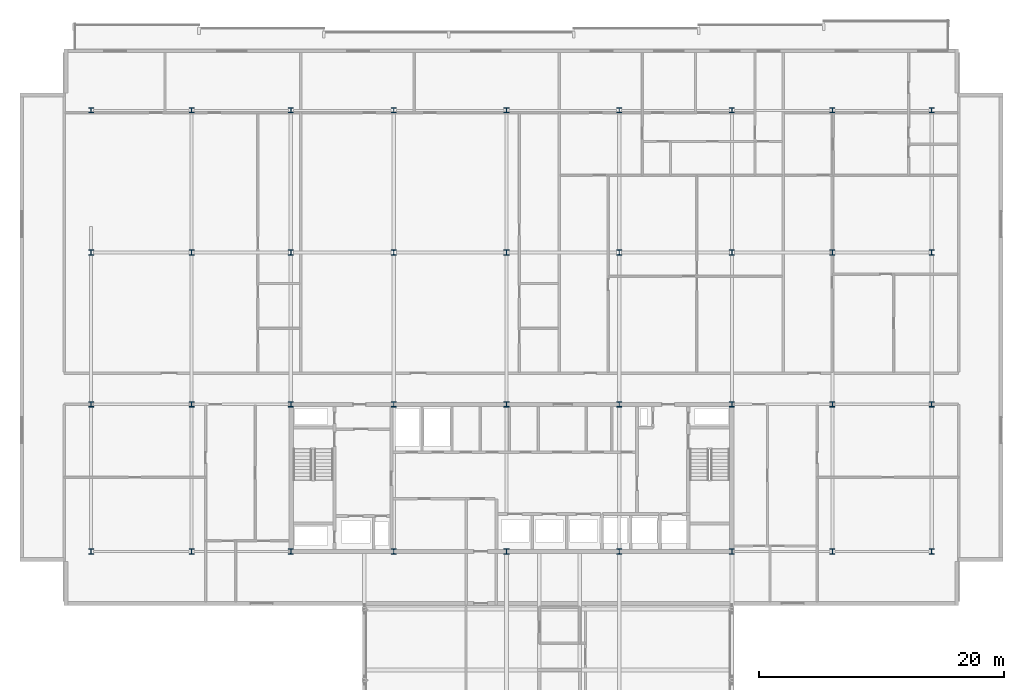
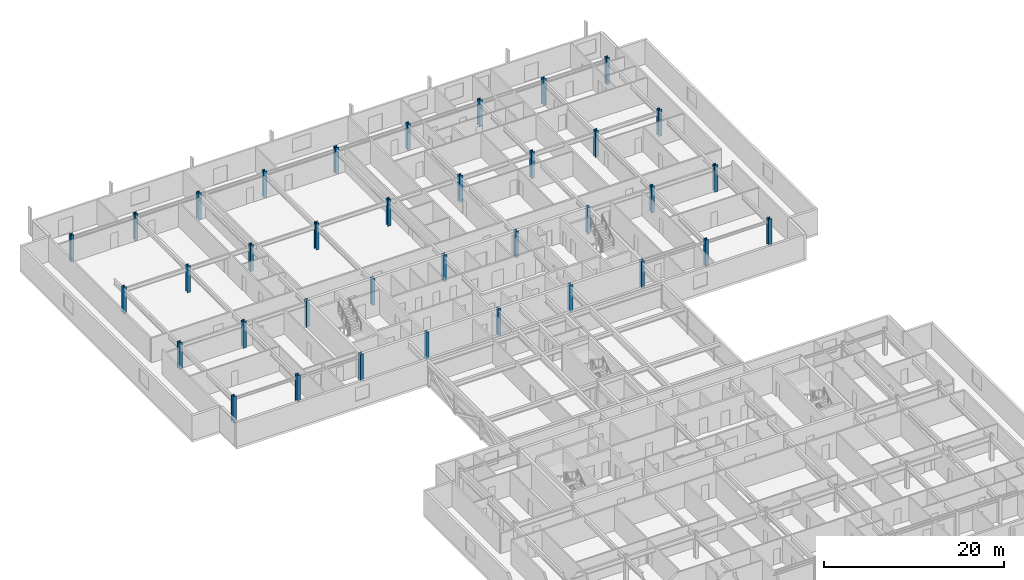
# One storey, part 2 of 36: 36 columns.
"""IFC4 building model written with IfcOpenShell, lengths in metres."""

from ifc_helpers import new_model, si_unit, direction, frame, origin, origin_2d, place, context, subcontext, project, spatial, i_section, extrude, material, material_profile, profile_set, type_object, element, save


model = new_model("IFC4")

# Units and contexts
model_context = context("Model", 3, precision=1e-05, world=origin(), true_north=direction((0.0, 1.0)))
body_context = subcontext(model_context, "Body", "Model", "MODEL_VIEW")
ifc_project = project(units=[si_unit("LENGTHUNIT", "METRE"), si_unit("AREAUNIT", "SQUARE_METRE"), si_unit("VOLUMEUNIT", "CUBIC_METRE"), si_unit("PLANEANGLEUNIT", "RADIAN"), si_unit("MASSUNIT", "GRAM", prefix="KILO")], contexts=[model_context])

# Site, building, storey
site_placement = place(None, origin())
site = spatial("IfcSite", under=ifc_project, at=site_placement, CompositionType="ELEMENT")
building_placement = place(site_placement, origin())
building = spatial("IfcBuilding", under=site, at=building_placement, Name="Korimba Cascade Residences", CompositionType="ELEMENT")
storey_placement = place(building_placement, frame((0.0, 0.0, 139.300048828125)))
storey = spatial("IfcBuildingStorey", under=building, at=storey_placement, Name="L40", CompositionType="ELEMENT", Elevation=139.300048828125)

# Columns
ifc_material = material(Name="Steel S460", Category="steel")
ifc_material_profile = material_profile(ifc_material, i_section(OverallWidth=0.412109375, OverallDepth=0.4365234375, WebThickness=0.035888671875, FlangeThickness=0.052001953125, FilletRadius=0.01513671875, at=origin_2d()), Name="Steel S460")
ifc_profile_set = profile_set([ifc_material_profile], Name="Steel S460")
column_type = type_object("IfcColumnType", Name="COL-STL-UC467", PredefinedType="COLUMN", material=ifc_profile_set)
for number, where, z_axis, x_axis, name in (
    (1, (59.800048828125, 55.199951171875, 0.0), (0.0, 0.0, 1.0), (1.0, 0.0, 0.0), "L40 Tower 1 Column 1.1"),
    (2, (59.800048828125, 67.199951171875, 0.0), (0.0, 0.0, 1.0), (1.0, 0.0, 0.0), "L40 Tower 1 Column 1.2"),
    (3, (59.800048828125, 79.60009765625, 0.0), (0.0, 0.0, 1.0), (1.0, 0.0, 0.0), "L40 Tower 1 Column 1.3"),
    (4, (59.800048828125, 91.199951171875, 0.0), (0.0, 0.0, 1.0), (1.0, 0.0, 0.0), "L40 Tower 1 Column 1.4"),
    (5, (68.0, 55.199951171875, 0.0), (0.0, 0.0, 1.0), (1.0, 0.0, 0.0), "L40 Tower 1 Column 2.1"),
    (6, (68.0, 67.199951171875, 0.0), (0.0, 0.0, 1.0), (1.0, 0.0, 0.0), "L40 Tower 1 Column 2.2"),
    (7, (68.0, 79.60009765625, 0.0), (0.0, 0.0, 1.0), (1.0, 0.0, 0.0), "L40 Tower 1 Column 2.3"),
    (8, (68.0, 91.199951171875, 0.0), (0.0, 0.0, 1.0), (1.0, 0.0, 0.0), "L40 Tower 1 Column 2.4"),
    (9, (76.10009765625, 55.199951171875, 0.0), (0.0, 0.0, 1.0), (1.0, 0.0, 0.0), "L40 Tower 1 Column 3.1"),
    (10, (76.10009765625, 67.199951171875, 0.0), (0.0, 0.0, 1.0), (1.0, 0.0, 0.0), "L40 Tower 1 Column 3.2"),
    (11, (76.10009765625, 79.60009765625, 0.0), (0.0, 0.0, 1.0), (1.0, 0.0, 0.0), "L40 Tower 1 Column 3.3"),
    (12, (76.10009765625, 91.199951171875, 0.0), (0.0, 0.0, 1.0), (1.0, 0.0, 0.0), "L40 Tower 1 Column 3.4"),
    (13, (84.5, 55.199951171875, 0.0), (0.0, 0.0, 1.0), (1.0, 0.0, 0.0), "L40 Tower 1 Column 4.1"),
    (14, (84.5, 67.199951171875, 0.0), (0.0, 0.0, 1.0), (1.0, 0.0, 0.0), "L40 Tower 1 Column 4.2"),
    (15, (84.5, 79.60009765625, 0.0), (0.0, 0.0, 1.0), (1.0, 0.0, 0.0), "L40 Tower 1 Column 4.3"),
    (16, (84.5, 91.199951171875, 0.0), (0.0, 0.0, 1.0), (1.0, 0.0, 0.0), "L40 Tower 1 Column 4.4"),
    (17, (93.699951171875, 55.199951171875, 0.0), (0.0, 0.0, 1.0), (1.0, 0.0, 0.0), "L40 Tower 1 Column 5.1"),
    (18, (93.699951171875, 67.199951171875, 0.0), (0.0, 0.0, 1.0), (1.0, 0.0, 0.0), "L40 Tower 1 Column 5.2"),
    (19, (93.699951171875, 79.60009765625, 0.0), (0.0, 0.0, 1.0), (1.0, 0.0, 0.0), "L40 Tower 1 Column 5.3"),
    (20, (93.699951171875, 91.199951171875, 0.0), (0.0, 0.0, 1.0), (1.0, 0.0, 0.0), "L40 Tower 1 Column 5.4"),
    (21, (102.89990234375, 55.199951171875, 0.0), (0.0, 0.0, 1.0), (1.0, 0.0, 0.0), "L40 Tower 1 Column 6.1"),
    (22, (102.89990234375, 67.199951171875, 0.0), (0.0, 0.0, 1.0), (1.0, 0.0, 0.0), "L40 Tower 1 Column 6.2"),
    (23, (102.89990234375, 79.60009765625, 0.0), (0.0, 0.0, 1.0), (1.0, 0.0, 0.0), "L40 Tower 1 Column 6.3"),
    (24, (102.89990234375, 91.199951171875, 0.0), (0.0, 0.0, 1.0), (1.0, 0.0, 0.0), "L40 Tower 1 Column 6.4"),
    (25, (112.10009765625, 55.199951171875, 0.0), (0.0, 0.0, 1.0), (1.0, 0.0, 0.0), "L40 Tower 1 Column 7.1"),
    (26, (112.10009765625, 67.199951171875, 0.0), (0.0, 0.0, 1.0), (1.0, 0.0, 0.0), "L40 Tower 1 Column 7.2"),
    (27, (112.10009765625, 79.60009765625, 0.0), (0.0, 0.0, 1.0), (1.0, 0.0, 0.0), "L40 Tower 1 Column 7.3"),
    (28, (112.10009765625, 91.199951171875, 0.0), (0.0, 0.0, 1.0), (1.0, 0.0, 0.0), "L40 Tower 1 Column 7.4"),
    (29, (120.300048828125, 55.199951171875, 0.0), (0.0, 0.0, 1.0), (1.0, 0.0, 0.0), "L40 Tower 1 Column 8.1"),
    (30, (120.300048828125, 67.199951171875, 0.0), (0.0, 0.0, 1.0), (1.0, 0.0, 0.0), "L40 Tower 1 Column 8.2"),
    (31, (120.300048828125, 79.60009765625, 0.0), (0.0, 0.0, 1.0), (1.0, 0.0, 0.0), "L40 Tower 1 Column 8.3"),
    (32, (120.300048828125, 91.199951171875, 0.0), (0.0, 0.0, 1.0), (1.0, 0.0, 0.0), "L40 Tower 1 Column 8.4"),
    (33, (128.39990234375, 55.199951171875, 0.0), (0.0, 0.0, 1.0), (1.0, 0.0, 0.0), "L40 Tower 1 Column 9.1"),
    (34, (128.39990234375, 67.199951171875, 0.0), (0.0, 0.0, 1.0), (1.0, 0.0, 0.0), "L40 Tower 1 Column 9.2"),
    (35, (128.39990234375, 79.60009765625, 0.0), (0.0, 0.0, 1.0), (1.0, 0.0, 0.0), "L40 Tower 1 Column 9.3"),
    (36, (128.39990234375, 91.199951171875, 0.0), (0.0, 0.0, 1.0), (1.0, 0.0, 0.0), "L40 Tower 1 Column 9.4"),
):
    element("IfcColumn", number, at=place(storey_placement, frame(where, z_axis=z_axis, x_axis=x_axis)), inside=storey, type_object=column_type, Name=name, PredefinedType="COLUMN", context=body_context, shape_type="SweptSolid", body=[
        extrude(i_section(OverallWidth=0.412109375, OverallDepth=0.4365234375, WebThickness=0.035888671875, FlangeThickness=0.052001953125, FilletRadius=0.01513671875, at=origin_2d()), origin(), (0.0, 0.0, 1.0), 3.599853515625),
    ])

save(model, "model.ifc")
